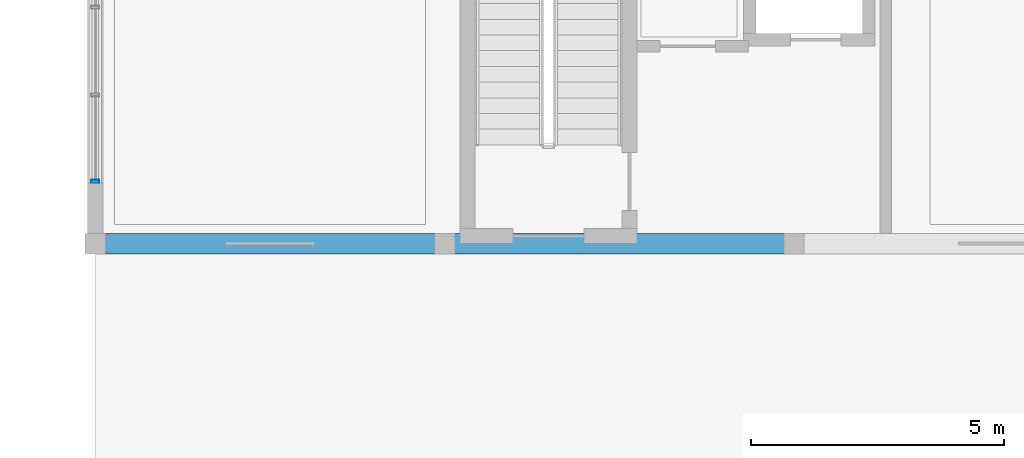
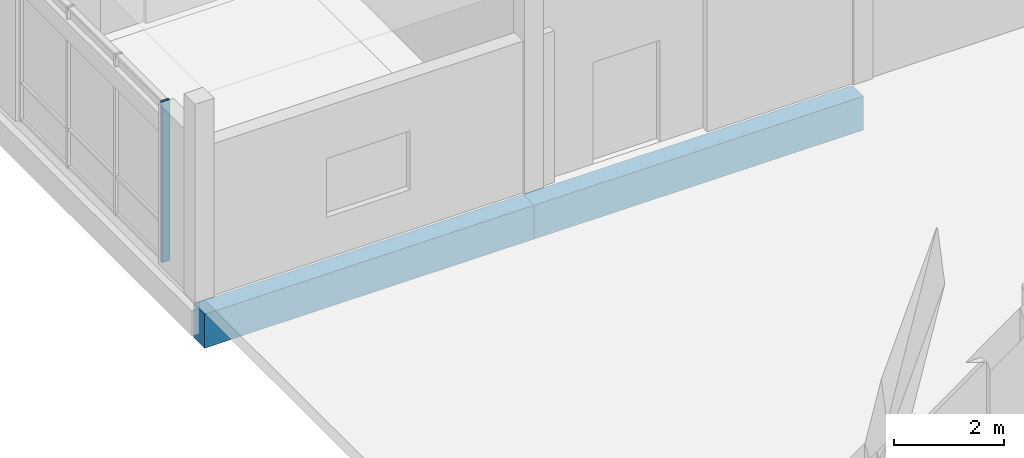
# One storey, part 30 of 233: 2 beams, 1 member, 1 element without a shape of its own.
"""IFC4 building model written with IfcOpenShell, lengths in metres."""

from ifc_helpers import new_model, si_unit, direction, frame, origin, origin_2d, place, context, subcontext, project, spatial, rectangle, hollow_rectangle, extrude, material, material_profile, profile_set, type_object, element, aggregate, save


model = new_model("IFC4")

# Units and contexts
model_context = context("Model", 3, precision=1e-05, world=origin(), true_north=direction((0.0, 1.0)))
body_context = subcontext(model_context, "Body", "Model", "MODEL_VIEW")
ifc_project = project(units=[si_unit("LENGTHUNIT", "METRE"), si_unit("AREAUNIT", "SQUARE_METRE"), si_unit("VOLUMEUNIT", "CUBIC_METRE"), si_unit("PLANEANGLEUNIT", "RADIAN"), si_unit("MASSUNIT", "GRAM", prefix="KILO")], contexts=[model_context])

# Site, building, storey
site_placement = place(None, origin())
site = spatial("IfcSite", under=ifc_project, at=site_placement, CompositionType="ELEMENT")
building_placement = place(site_placement, origin())
building = spatial("IfcBuilding", under=site, at=building_placement, Name="Zavelmont Quarter", CompositionType="ELEMENT")
storey_placement = place(building_placement, origin())
storey = spatial("IfcBuildingStorey", under=building, at=storey_placement, Name="L00", CompositionType="ELEMENT", Elevation=0.0)

# Beams
ifc_material_1 = material(Name="Concrete C40/50", Category="concrete")
ifc_material_profile_1 = material_profile(ifc_material_1, rectangle(XDim=0.39990234375, YDim=0.75, at=origin_2d()), Name="RC400X750")
ifc_profile_set_1 = profile_set([ifc_material_profile_1], Name="Concrete C40/50")
beam_type = type_object("IfcBeamType", Name="BM05", PredefinedType="BEAM", material=ifc_profile_set_1)
beam_1_placement = place(storey_placement, frame((0.0, 30.0, -0.695068359375), z_axis=(1.0, 0.0, 0.0), x_axis=(0.0, 1.0, 0.0)))
element("IfcBeam", 1, at=beam_1_placement, inside=storey, type_object=beam_type, Name="L00 beam BM05 1/F to 2/F", PredefinedType="BEAM", context=body_context, shape_type="SweptSolid", body=[
    extrude(rectangle(XDim=0.39990234375, YDim=0.75, at=origin_2d()), origin(), (0.0, 0.0, 1.0), 6.89990234375),
])
beam_2_placement = place(storey_placement, frame((6.89990234375, 30.0, -0.695068359375), z_axis=(1.0, 0.0, 0.0), x_axis=(0.0, 1.0, 0.0)))
element("IfcBeam", 2, at=beam_2_placement, inside=storey, type_object=beam_type, Name="L00 beam BM05 2/F to 3/F", PredefinedType="BEAM", context=body_context, shape_type="SweptSolid", body=[
    extrude(rectangle(XDim=0.39990234375, YDim=0.75, at=origin_2d()), origin(), (0.0, 0.0, 1.0), 6.900146484375),
])

# Curtain wall, member
ifc_material_2 = material(Name="Thermally broken aluminium and double low-E safety glazing", Category="aluminium")
curtain_wall_type = type_object("IfcCurtainWallType", Name="CW-520X356", PredefinedType="NOTDEFINED", material=ifc_material_2)
curtain_wall_placement = place(storey_placement, origin())
curtain_wall = element("IfcCurtainWall", 3, at=curtain_wall_placement, inside=storey, type_object=curtain_wall_type, Name="L00 unitised curtain wall CW-520X356", PredefinedType="NOTDEFINED")
ifc_material_3 = material(Name="Powder-coated aluminium EN AW-6063-T6", Category="aluminium")
ifc_material_profile_2 = material_profile(ifc_material_3, hollow_rectangle(XDim=0.06005859375, YDim=0.159912109375, WallThickness=0.00390625, at=origin_2d()), Name="CWM60X160")
ifc_profile_set_2 = profile_set([ifc_material_profile_2], Name="Powder-coated aluminium EN AW-6063-T6")
member_type = type_object("IfcMemberType", Name="CWM01", PredefinedType="MULLION", material=ifc_profile_set_2)
member_placement = place(storey_placement, frame((0.0, 31.22998046875, 0.0), z_axis=(0.0, 0.0, 1.0), x_axis=(0.0, 1.0, 0.0)))
member = element("IfcMember", 4, at=member_placement, type_object=member_type, Name="CW-520X356 mullion 1", PredefinedType="MULLION", context=body_context, shape_type="SweptSolid", body=[
    extrude(hollow_rectangle(XDim=0.06005859375, YDim=0.159912109375, WallThickness=0.00390625, at=origin_2d()), origin(), (0.0, 0.0, 1.0), 3.56005859375),
])
aggregate(curtain_wall, [member])

save(model, "model.ifc")
